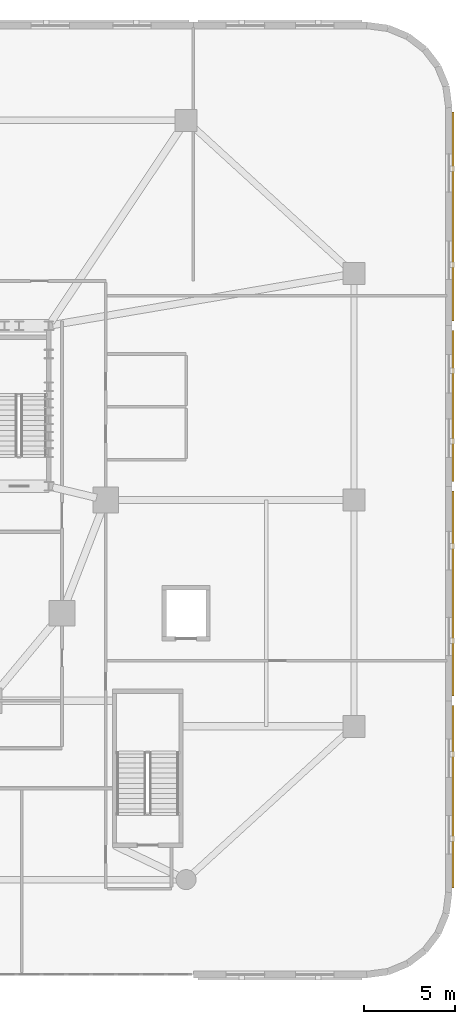
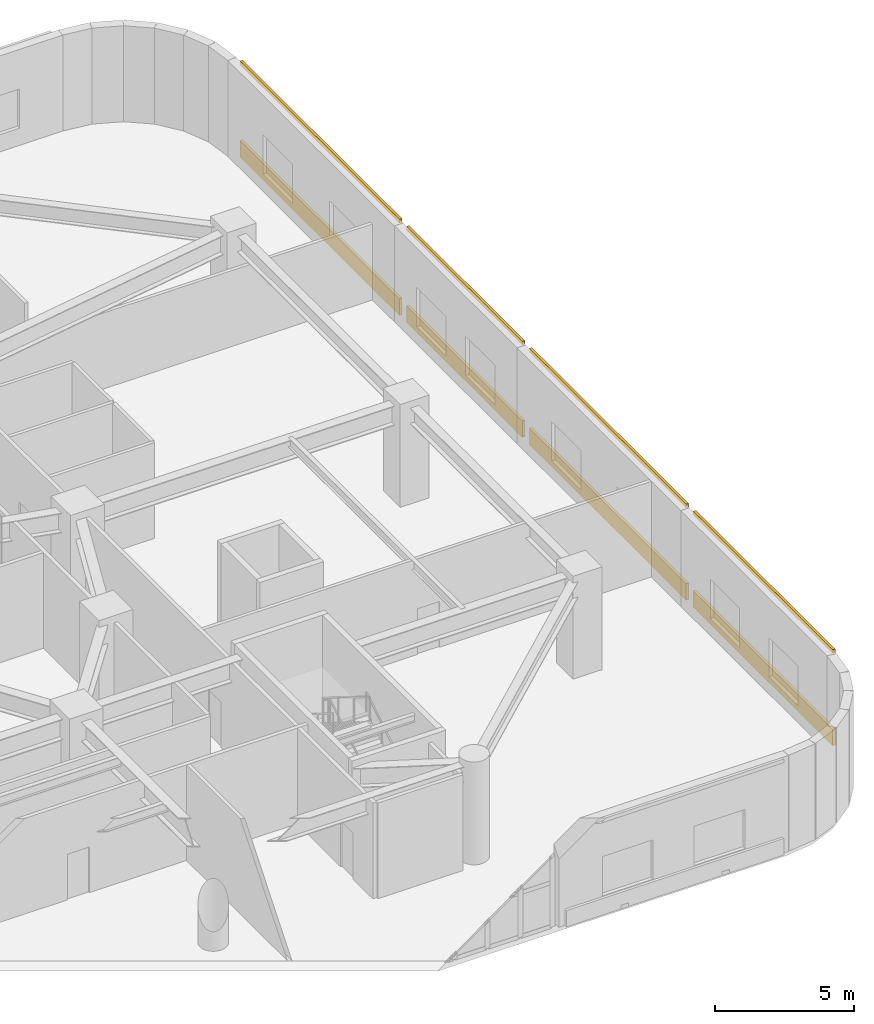
# One storey, part 25 of 25: 8 coverings.
"""IFC4 building model written with IfcOpenShell, lengths in metres."""

from ifc_helpers import new_model, si_unit, direction, frame, origin, place, context, subcontext, project, spatial, polyline, outline, extrude, material, layer, layer_set, type_object, element, save


model = new_model("IFC4")

# Units and contexts
model_context = context("Model", 3, precision=1e-05, world=origin(), true_north=direction((0.0, 1.0)))
body_context = subcontext(model_context, "Body", "Model", "MODEL_VIEW")
ifc_project = project(units=[si_unit("LENGTHUNIT", "METRE"), si_unit("AREAUNIT", "SQUARE_METRE"), si_unit("VOLUMEUNIT", "CUBIC_METRE"), si_unit("PLANEANGLEUNIT", "RADIAN"), si_unit("MASSUNIT", "GRAM", prefix="KILO")], contexts=[model_context])

# Site, building, storey
site_placement = place(None, origin())
site = spatial("IfcSite", under=ifc_project, at=site_placement, CompositionType="ELEMENT")
building_placement = place(site_placement, origin())
building = spatial("IfcBuilding", under=site, at=building_placement, Name="Haldorwick Loom Tower", CompositionType="ELEMENT")
storey_placement = place(building_placement, frame((0.0, 0.0, 15.0)))
storey = spatial("IfcBuildingStorey", under=building, at=storey_placement, Name="L03", CompositionType="ELEMENT", Elevation=15.0)

# Coverings
ifc_material = material(Name="Corbelled Pressed Clay Face Brick Veneer", Category="masonry")
ifc_layer = layer(ifc_material, 0.110107421875, Name="Corbelled Pressed Clay Face Brick Veneer", Category="masonry")
ifc_layer_set = layer_set([ifc_layer], Name="Corbelled Pressed Clay Face Brick Veneer")
covering_type = type_object("IfcCoveringType", Name="ARC-COV-BRICK110", PredefinedType="CLADDING", material=ifc_layer_set)
covering_1_placement = place(storey_placement, origin())
element("IfcCovering", 1, at=covering_1_placement, inside=storey, type_object=covering_type, Name="L03 Sill Face-Brick Spandrel 7", PredefinedType="CLADDING", context=body_context, shape_type="SweptSolid", body=[
    extrude(outline(polyline([(72.2900390625, 4.75), (72.2900390625, 14.75), (72.179931640625, 14.75), (72.179931640625, 4.75), (72.2900390625, 4.75)])), origin(), (0.0, 0.0, 1.0), 0.719970703125),
])
covering_2_placement = place(storey_placement, frame((0.0, 0.0, 4.0400390625)))
element("IfcCovering", 2, at=covering_2_placement, inside=storey, type_object=covering_type, Name="L03 Head Face-Brick Lintel Band 7", PredefinedType="CLADDING", context=body_context, shape_type="SweptSolid", body=[
    extrude(outline(polyline([(72.2900390625, 4.75), (72.2900390625, 14.75), (72.179931640625, 14.75), (72.179931640625, 4.75), (72.2900390625, 4.75)])), origin(), (0.0, 0.0, 1.0), 0.159912109375),
])
covering_3_placement = place(storey_placement, origin())
element("IfcCovering", 3, at=covering_3_placement, inside=storey, type_object=covering_type, Name="L03 Sill Face-Brick Spandrel 8", PredefinedType="CLADDING", context=body_context, shape_type="SweptSolid", body=[
    extrude(outline(polyline([(72.2900390625, 15.25), (72.2900390625, 26.5), (72.179931640625, 26.5), (72.179931640625, 15.25), (72.2900390625, 15.25)])), origin(), (0.0, 0.0, 1.0), 0.719970703125),
])
covering_4_placement = place(storey_placement, frame((0.0, 0.0, 4.0400390625)))
element("IfcCovering", 4, at=covering_4_placement, inside=storey, type_object=covering_type, Name="L03 Head Face-Brick Lintel Band 8", PredefinedType="CLADDING", context=body_context, shape_type="SweptSolid", body=[
    extrude(outline(polyline([(72.2900390625, 15.25), (72.2900390625, 26.5), (72.179931640625, 26.5), (72.179931640625, 15.25), (72.2900390625, 15.25)])), origin(), (0.0, 0.0, 1.0), 0.159912109375),
])
covering_5_placement = place(storey_placement, origin())
element("IfcCovering", 5, at=covering_5_placement, inside=storey, type_object=covering_type, Name="L03 Sill Face-Brick Spandrel 9", PredefinedType="CLADDING", context=body_context, shape_type="SweptSolid", body=[
    extrude(outline(polyline([(72.2900390625, 27.0), (72.2900390625, 35.300048828125), (72.179931640625, 35.300048828125), (72.179931640625, 27.0), (72.2900390625, 27.0)])), origin(), (0.0, 0.0, 1.0), 0.719970703125),
])
covering_6_placement = place(storey_placement, frame((0.0, 0.0, 4.0400390625)))
element("IfcCovering", 6, at=covering_6_placement, inside=storey, type_object=covering_type, Name="L03 Head Face-Brick Lintel Band 9", PredefinedType="CLADDING", context=body_context, shape_type="SweptSolid", body=[
    extrude(outline(polyline([(72.2900390625, 27.0), (72.2900390625, 35.300048828125), (72.179931640625, 35.300048828125), (72.179931640625, 27.0), (72.2900390625, 27.0)])), origin(), (0.0, 0.0, 1.0), 0.159912109375),
])
covering_7_placement = place(storey_placement, origin())
element("IfcCovering", 7, at=covering_7_placement, inside=storey, type_object=covering_type, Name="L03 Sill Face-Brick Spandrel 10", PredefinedType="CLADDING", context=body_context, shape_type="SweptSolid", body=[
    extrude(outline(polyline([(72.2900390625, 35.800048828125), (72.2900390625, 47.25), (72.179931640625, 47.25), (72.179931640625, 35.800048828125), (72.2900390625, 35.800048828125)])), origin(), (0.0, 0.0, 1.0), 0.719970703125),
])
covering_8_placement = place(storey_placement, frame((0.0, 0.0, 4.0400390625)))
element("IfcCovering", 8, at=covering_8_placement, inside=storey, type_object=covering_type, Name="L03 Head Face-Brick Lintel Band 10", PredefinedType="CLADDING", context=body_context, shape_type="SweptSolid", body=[
    extrude(outline(polyline([(72.2900390625, 35.800048828125), (72.2900390625, 47.25), (72.179931640625, 47.25), (72.179931640625, 35.800048828125), (72.2900390625, 35.800048828125)])), origin(), (0.0, 0.0, 1.0), 0.159912109375),
])

save(model, "model.ifc")
